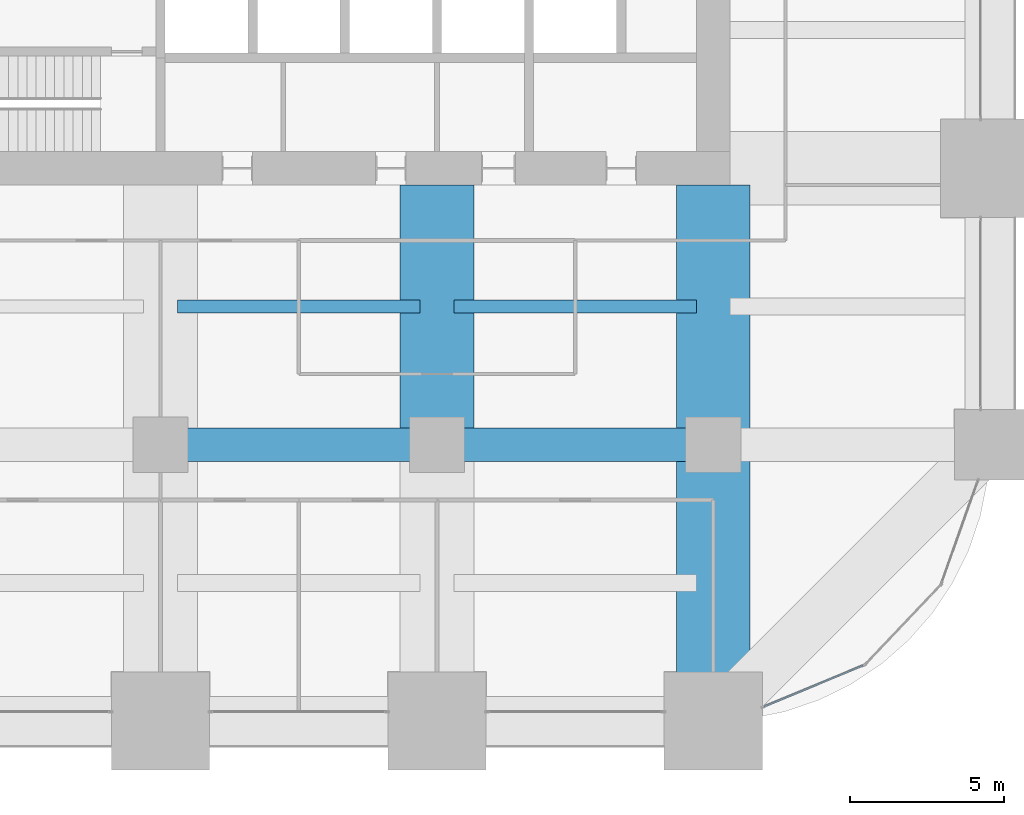
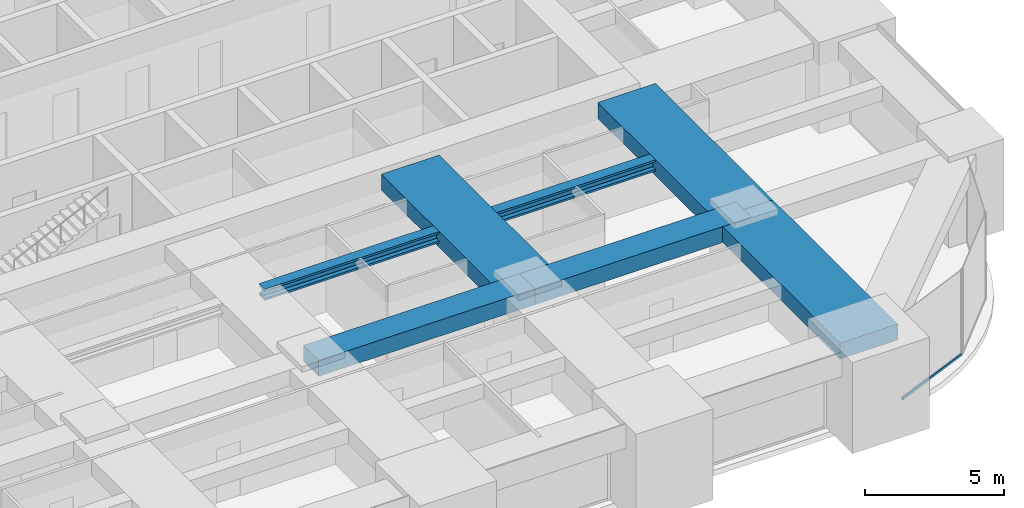
# One storey, part 16 of 36: 7 beams, 1 member, 1 element without a shape of its own.
"""IFC4 building model written with IfcOpenShell, lengths in metres."""

import ifcopenshell
import ifcopenshell.guid

model = None  # the IFC model being written
_history = None  # IfcOwnerHistory: only IFC2X3 demands one
_inside = {}  # id of a spatial element -> (the spatial element, [elements in it])
_under = {}  # id of a project, library or spatial element -> (it, [spatial elements below it])
_declared = {}  # id of a project -> (the project, [libraries it declares])
_typed = {}  # id of a type object -> (the type object, [elements of that type])
_made_of = {}  # id of a material, layer set ... -> (it, [elements and type objects made of it])


def new_model(schema):
    """Start an empty IFC model of exactly this schema.

    Asked for "IFC4X3", IfcOpenShell would pick the latest addendum, in which some entities
    have other attributes; the version numbers below select the first issue.
    IFC2X3 requires an IfcOwnerHistory on every rooted entity: one is made here for all.
    """
    global model, _history
    if schema == "IFC4X3":
        model = ifcopenshell.file(schema_version=(4, 3, 0, 0))
    else:
        model = ifcopenshell.file(schema=schema)
    _inside.clear()
    _under.clear()
    _declared.clear()
    _typed.clear()
    _made_of.clear()
    _history = None
    if model.schema == "IFC2X3":
        org = make("IfcOrganization", Name="unknown")
        user = make(
            "IfcPersonAndOrganization",
            ThePerson=make("IfcPerson", FamilyName="unknown"),
            TheOrganization=org,
        )
        app = make(
            "IfcApplication",
            ApplicationDeveloper=org,
            Version="unknown",
            ApplicationFullName="unknown",
            ApplicationIdentifier="unknown",
        )
        _history = make(
            "IfcOwnerHistory",
            OwningUser=user,
            OwningApplication=app,
            ChangeAction="ADDED",
            CreationDate=0,
        )
    return model


def make(cls, **values):
    """One entity of the class cls with the attributes given. An attribute that is None is left unset."""
    return model.create_entity(
        cls, **{name: value for name, value in values.items() if value is not None}
    )


def rooted(cls, **values):
    """An entity with a GlobalId (a new one), such as an element, a storey or a relation."""
    return make(cls, GlobalId=ifcopenshell.guid.new(), OwnerHistory=_history, **values)


def si_unit(unit_type, name, prefix=None):
    """IfcSIUnit, for example si_unit("LENGTHUNIT", "METRE", prefix="MILLI")."""
    return make("IfcSIUnit", UnitType=unit_type, Prefix=prefix, Name=name)


def assignment(units):
    """IfcUnitAssignment: the units of a project."""
    return None if units is None else make("IfcUnitAssignment", Units=units)


def point(xyz):
    """IfcCartesianPoint."""
    return None if xyz is None else make("IfcCartesianPoint", Coordinates=xyz)


def direction(xyz):
    """IfcDirection."""
    return None if xyz is None else make("IfcDirection", DirectionRatios=xyz)


def frame(location, z_axis=None, x_axis=None):
    """IfcAxis2Placement3D, a coordinate frame: its origin and axes. An axis left out is left unset."""
    return make(
        "IfcAxis2Placement3D",
        Location=point(location),
        Axis=direction(z_axis),
        RefDirection=direction(x_axis),
    )


def frame_2d(location, x_axis=None):
    """IfcAxis2Placement2D, a coordinate frame in the plane: its origin and x axis."""
    return make(
        "IfcAxis2Placement2D", Location=point(location), RefDirection=direction(x_axis)
    )


def origin():
    """The frame at (0, 0, 0) with its axes left unset."""
    return frame((0.0, 0.0, 0.0))


def origin_2d():
    """The frame at (0, 0) in the plane with its x axis left unset."""
    return frame_2d((0.0, 0.0))


def place(relative_to, where):
    """IfcLocalPlacement: puts the frame where relative to a parent placement (None: the world)."""
    return make(
        "IfcLocalPlacement", PlacementRelTo=relative_to, RelativePlacement=where
    )


def context(
    kind, dimensions, precision=None, world=None, true_north=None, identifier=None
):
    """IfcGeometricRepresentationContext, for example the 3D "Model" context."""
    return make(
        "IfcGeometricRepresentationContext",
        ContextIdentifier=identifier,
        ContextType=kind,
        CoordinateSpaceDimension=dimensions,
        Precision=precision,
        WorldCoordinateSystem=world,
        TrueNorth=true_north,
    )


def subcontext(parent, identifier, kind, view, scale=None):
    """IfcGeometricRepresentationSubContext, for example "Body" below "Model"."""
    return make(
        "IfcGeometricRepresentationSubContext",
        ContextIdentifier=identifier,
        ContextType=kind,
        ParentContext=parent,
        TargetScale=scale,
        TargetView=view,
    )


def project(units=None, contexts=None):
    """IfcProject with its units and contexts."""
    return rooted(
        "IfcProject",
        Name="project",
        RepresentationContexts=contexts,
        UnitsInContext=assignment(units),
    )


def spatial(cls, under=None, at=None, **own):
    """A site, building, storey or space (cls), placed at a placement, below another one or the project."""
    s = rooted(cls, ObjectPlacement=at, **own)
    if under is not None:
        _under.setdefault(under.id(), (under, []))[1].append(s)
    return s


def profile(cls, at=None, kind="AREA", **sizes):
    """A parametric profile (cls). Its sizes go by their IFC names, for example OverallWidth=200.0."""
    return make(cls, ProfileType=kind, Position=at, **sizes)


def rectangle(**sizes):
    """IfcRectangleProfileDef."""
    return profile("IfcRectangleProfileDef", **sizes)


def hollow_rectangle(**sizes):
    """IfcRectangleHollowProfileDef."""
    return profile("IfcRectangleHollowProfileDef", **sizes)


def i_section(**sizes):
    """IfcIShapeProfileDef."""
    return profile("IfcIShapeProfileDef", **sizes)


def extrude(swept, where, along, depth):
    """IfcExtrudedAreaSolid: the profile swept, set in the frame where, extruded along a direction by depth."""
    return make(
        "IfcExtrudedAreaSolid",
        SweptArea=swept,
        Position=where,
        ExtrudedDirection=direction(along),
        Depth=depth,
    )


def shape(context_of_items, identifier, shape_type, items):
    """IfcShapeRepresentation: the items that make up one representation, for example the "Body"."""
    return make(
        "IfcShapeRepresentation",
        ContextOfItems=context_of_items,
        RepresentationIdentifier=identifier,
        RepresentationType=shape_type,
        Items=items,
    )


def material(Name=None, Category=None):
    """IfcMaterial."""
    return make("IfcMaterial", Name=Name, Category=Category)


def material_profile(
    of_material, cross_section, Name=None, Category=None, Priority=None
):
    """IfcMaterialProfile: a cross section and its material."""
    return make(
        "IfcMaterialProfile",
        Name=Name,
        Material=of_material,
        Profile=cross_section,
        Priority=Priority,
        Category=Category,
    )


def profile_set(profiles, Name=None, composite=None):
    """IfcMaterialProfileSet."""
    return make(
        "IfcMaterialProfileSet",
        Name=Name,
        MaterialProfiles=profiles,
        CompositeProfile=composite,
    )


def made_of(thing, what):
    """Note that an element or type object is made of a material, layer set ...; save() writes the relation."""
    if what is not None:
        _made_of.setdefault(what.id(), (what, []))[1].append(thing)
    return thing


def type_object(cls, material=None, **own):
    """A type object (cls), such as IfcWallType, which elements share."""
    return made_of(rooted(cls, **own), material)


def element(
    cls,
    number,
    at=None,
    inside=None,
    cuts=None,
    type_object=None,
    material=None,
    context=None,
    identifier="Body",
    shape_type=None,
    held_by="IfcProductDefinitionShape",
    body=None,
    shapes=None,
    **own,
):
    """One element of the class cls, such as IfcWall. Its Tag is "e" and its number.

    at: its placement. inside: the storey or other place that contains it. cuts: it is an
    opening in that element (IfcRelVoidsElement). A single representation is given by context,
    identifier, shape_type and body (its items); several are given by shapes. held_by: the class
    of the entity that holds the representations. save() writes the other relations.
    """
    e = rooted(cls, Tag="e%d" % number, ObjectPlacement=at, **own)
    if body is not None:
        shapes = [shape(context, identifier, shape_type, body)]
    if shapes is not None:
        e.Representation = make(held_by, Representations=shapes)
    if inside is not None:
        _inside.setdefault(inside.id(), (inside, []))[1].append(e)
    if cuts is not None:
        rooted(
            "IfcRelVoidsElement", RelatingBuildingElement=cuts, RelatedOpeningElement=e
        )
    if type_object is not None:
        _typed.setdefault(type_object.id(), (type_object, []))[1].append(e)
    return made_of(e, material)


def aggregate(whole, parts):
    """IfcRelAggregates: a whole, such as a stair, and the parts it consists of."""
    return rooted("IfcRelAggregates", RelatingObject=whole, RelatedObjects=parts)


def save(model, path):
    """Write the relations noted so far, then the file.

    IfcRelAggregates (storeys below a building ...), IfcRelContainedInSpatialStructure (elements
    in a storey), IfcRelDefinesByType, IfcRelAssociatesMaterial and IfcRelDeclares: one each for
    every whole, place, type object, material and project.
    """
    for whole, parts in _under.values():
        aggregate(whole, parts)
    for where, things in _inside.values():
        rooted(
            "IfcRelContainedInSpatialStructure",
            RelatedElements=things,
            RelatingStructure=where,
        )
    for kind, things in _typed.values():
        rooted("IfcRelDefinesByType", RelatedObjects=things, RelatingType=kind)
    for what, things in _made_of.values():
        rooted("IfcRelAssociatesMaterial", RelatedObjects=things, RelatingMaterial=what)
    for by, libraries in _declared.values():
        rooted("IfcRelDeclares", RelatingContext=by, RelatedDefinitions=libraries)
    model.write(path)


model = new_model("IFC4")

# Units and contexts
model_context = context("Model", 3, precision=1e-05, world=origin(), true_north=direction((0.0, 1.0)))
body_context = subcontext(model_context, "Body", "Model", "MODEL_VIEW")
ifc_project = project(units=[si_unit("LENGTHUNIT", "METRE"), si_unit("AREAUNIT", "SQUARE_METRE"), si_unit("VOLUMEUNIT", "CUBIC_METRE"), si_unit("PLANEANGLEUNIT", "RADIAN"), si_unit("MASSUNIT", "GRAM", prefix="KILO")], contexts=[model_context])

# Site, building, storey
site_placement = place(None, origin())
site = spatial("IfcSite", under=ifc_project, at=site_placement, CompositionType="ELEMENT")
building_placement = place(site_placement, origin())
building = spatial("IfcBuilding", under=site, at=building_placement, Name="Zorevar Civic Tower", CompositionType="ELEMENT")
storey_placement = place(building_placement, frame((0.0, 0.0, 166.199951171875)))
storey = spatial("IfcBuildingStorey", under=building, at=storey_placement, Name="L40", CompositionType="ELEMENT", Elevation=166.199951171875)

# Beams
ifc_material_1 = material(Name="Concrete C50/60", Category="concrete")
ifc_material_profile_1 = material_profile(ifc_material_1, rectangle(XDim=1.10009765625, YDim=0.699951171875, at=origin_2d()), Name="RC 1100x700")
ifc_profile_set_1 = profile_set([ifc_material_profile_1], Name="Concrete C50/60")
beam_type_1 = type_object("IfcBeamType", Name="Beam RC 1100x700", PredefinedType="BEAM", material=ifc_profile_set_1)
for number, where, z_axis, x_axis, name in (
    (1, (27.0, 9.0, 3.400146484375), (1.0, 0.0, 0.0), (0.0, 1.0, 0.0), "Girder L41"),
    (2, (36.0, 9.0, 3.400146484375), (1.0, 0.0, 0.0), (0.0, 1.0, 0.0), "Girder L41"),
):
    element("IfcBeam", number, at=place(storey_placement, frame(where, z_axis=z_axis, x_axis=x_axis)), inside=storey, type_object=beam_type_1, Name=name, PredefinedType="BEAM", context=body_context, shape_type="SweptSolid", body=[
        extrude(rectangle(XDim=1.10009765625, YDim=0.699951171875, at=origin_2d()), origin(), (0.0, 0.0, 1.0), 9.0),
    ])
ifc_material_2 = material(Name="Concrete C50/60", Category="concrete")
ifc_material_profile_2 = material_profile(ifc_material_2, rectangle(XDim=2.39990234375, YDim=0.699951171875, at=origin_2d()), Name="RC 2400x700")
ifc_profile_set_2 = profile_set([ifc_material_profile_2], Name="Concrete C50/60")
beam_type_2 = type_object("IfcBeamType", Name="Beam RC 2400x700", PredefinedType="BEAM", material=ifc_profile_set_2)
beam_1_placement = place(storey_placement, frame((36.0, 9.0, 3.400146484375), z_axis=(0.0, 1.0, 0.0), x_axis=(-1.0, 0.0, 0.0)))
element("IfcBeam", 3, at=beam_1_placement, inside=storey, type_object=beam_type_2, Name="Girder L41", PredefinedType="BEAM", context=body_context, shape_type="SweptSolid", body=[
    extrude(rectangle(XDim=2.39990234375, YDim=0.699951171875, at=origin_2d()), origin(), (0.0, 0.0, 1.0), 8.449951171875),
])
beam_2_placement = place(storey_placement, frame((45.0, 0.0, 3.400146484375), z_axis=(0.0, 1.0, 0.0), x_axis=(-1.0, 0.0, 0.0)))
element("IfcBeam", 4, at=beam_2_placement, inside=storey, type_object=beam_type_2, Name="Girder L41", PredefinedType="BEAM", context=body_context, shape_type="SweptSolid", body=[
    extrude(rectangle(XDim=2.39990234375, YDim=0.699951171875, at=origin_2d()), origin(), (0.0, 0.0, 1.0), 9.0),
])
beam_3_placement = place(storey_placement, frame((45.0, 9.0, 3.400146484375), z_axis=(0.0, 1.0, 0.0), x_axis=(-1.0, 0.0, 0.0)))
element("IfcBeam", 5, at=beam_3_placement, inside=storey, type_object=beam_type_2, Name="Girder L41", PredefinedType="BEAM", context=body_context, shape_type="SweptSolid", body=[
    extrude(rectangle(XDim=2.39990234375, YDim=0.699951171875, at=origin_2d()), origin(), (0.0, 0.0, 1.0), 8.449951171875),
])

# Curtain wall, member
ifc_material_3 = material(Name="Dark grey solar-control glass in black aluminium frame", Category="aluminium")
curtain_wall_type = type_object("IfcCurtainWallType", Name="Curtain wall CW4 high zone", PredefinedType="NOTDEFINED", material=ifc_material_3)
curtain_wall_placement = place(storey_placement, origin())
curtain_wall = element("IfcCurtainWall", 6, at=curtain_wall_placement, inside=storey, type_object=curtain_wall_type, Name="CW4 L40", PredefinedType="NOTDEFINED")
ifc_material_4 = material(Name="Aluminium, black anodised", Category="aluminium")
ifc_material_profile_3 = material_profile(ifc_material_4, hollow_rectangle(XDim=0.06005859375, YDim=0.1201171875, WallThickness=0.0029296875, at=origin_2d()), Name="AL 120x60x3")
ifc_profile_set_3 = profile_set([ifc_material_profile_3], Name="Aluminium, black anodised")
member_type = type_object("IfcMemberType", Name="CW4 transom AL 120x60x3", PredefinedType="USERDEFINED", material=ifc_profile_set_3)
member_placement = place(storey_placement, frame((46.655517578125, 0.471435546875, 0.030029296875), z_axis=(0.923426509304, 0.383775301335, 0.0), x_axis=(-0.383775301335, 0.923426509304, 0.0)))
member = element("IfcMember", 7, at=member_placement, type_object=member_type, Name="CW4 sill transom", ObjectType="TRANSOM", PredefinedType="USERDEFINED", context=body_context, shape_type="SweptSolid", body=[
    extrude(hollow_rectangle(XDim=0.06005859375, YDim=0.1201171875, WallThickness=0.0029296875, at=origin_2d()), origin(), (0.0, 0.0, 1.0), 3.488037109375),
])
aggregate(curtain_wall, [member])

# Beams
ifc_material_5 = material(Name="Steel S460M (HISTAR 460)", Category="steel")
ifc_material_profile_4 = material_profile(ifc_material_5, i_section(OverallWidth=0.431884765625, OverallDepth=0.498046875, WebThickness=0.0556640625, FlangeThickness=0.0888671875, FilletRadius=0.014892578125, at=origin_2d()), Name="HD 400x744")
ifc_profile_set_4 = profile_set([ifc_material_profile_4], Name="Steel S460M (HISTAR 460)")
beam_type_3 = type_object("IfcBeamType", Name="Core bay beam HD 400x744", PredefinedType="BEAM", material=ifc_profile_set_4)
for number, where, z_axis, x_axis, name in (
    (8, (27.550048828125, 13.5, 3.5009765625), (1.0, 0.0, 0.0), (0.0, 1.0, 0.0), "Secondary beam L41"),
    (9, (36.550048828125, 13.5, 3.5009765625), (1.0, 0.0, 0.0), (0.0, 1.0, 0.0), "Secondary beam L41"),
):
    element("IfcBeam", number, at=place(storey_placement, frame(where, z_axis=z_axis, x_axis=x_axis)), inside=storey, type_object=beam_type_3, Name=name, PredefinedType="BEAM", context=body_context, shape_type="SweptSolid", body=[
        extrude(i_section(OverallWidth=0.431884765625, OverallDepth=0.498046875, WebThickness=0.0556640625, FlangeThickness=0.0888671875, FilletRadius=0.014892578125, at=origin_2d()), origin(), (0.0, 0.0, 1.0), 7.89990234375),
    ])

save(model, "model.ifc")
